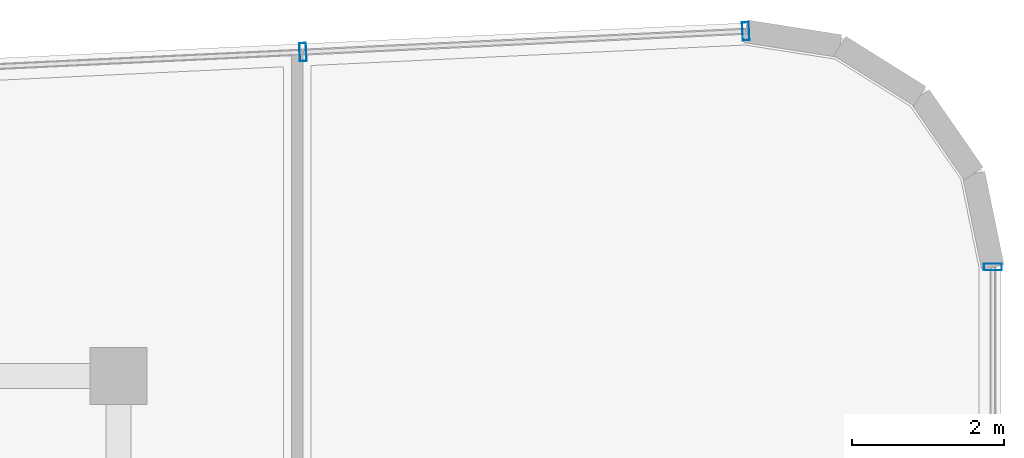
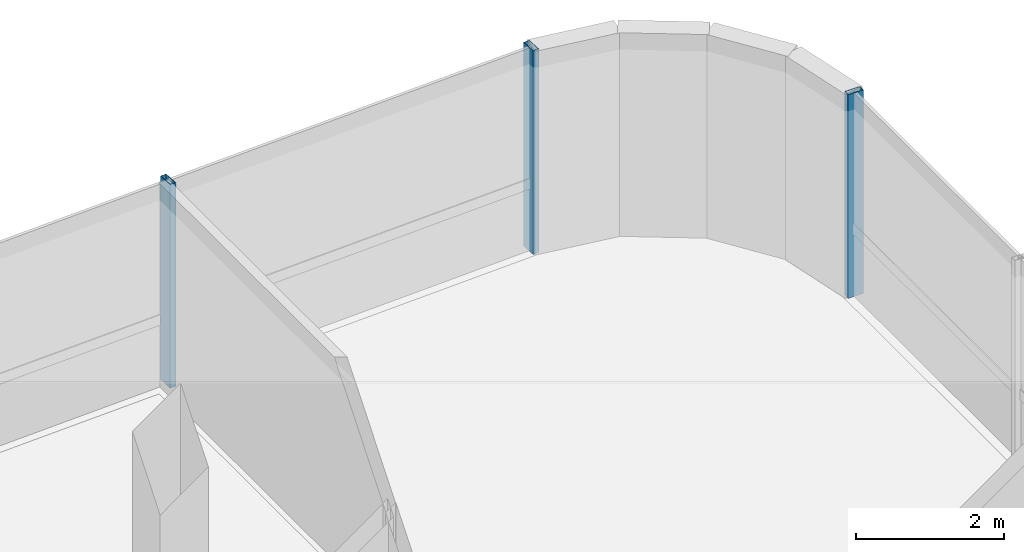
# One storey, part 11 of 17: 3 members, 2 elements without a shape of their own.
"""IFC4 building model written with IfcOpenShell, lengths in metres."""

from ifc_helpers import new_model, si_unit, direction, frame, origin, origin_2d, place, context, subcontext, project, spatial, hollow_rectangle, extrude, source, transform, mapped, material, material_profile, profile_set, type_object, element, aggregate, save


model = new_model("IFC4")

# Units and contexts
model_context = context("Model", 3, precision=1e-05, world=origin(), true_north=direction((0.0, 1.0)))
body_context = subcontext(model_context, "Body", "Model", "MODEL_VIEW")
ifc_project = project(units=[si_unit("LENGTHUNIT", "METRE"), si_unit("AREAUNIT", "SQUARE_METRE"), si_unit("VOLUMEUNIT", "CUBIC_METRE"), si_unit("PLANEANGLEUNIT", "RADIAN"), si_unit("MASSUNIT", "GRAM", prefix="KILO")], contexts=[model_context])

# Site, building, storey
site_placement = place(None, origin())
site = spatial("IfcSite", under=ifc_project, at=site_placement, CompositionType="ELEMENT")
building_placement = place(site_placement, origin())
building = spatial("IfcBuilding", under=site, at=building_placement, Name="Valdorenza Pilgrim Sanctuary Tower", CompositionType="ELEMENT")
storey_placement = place(building_placement, frame((0.0, 0.0, 287.0)))
storey = spatial("IfcBuildingStorey", under=building, at=storey_placement, Name="L75", CompositionType="ELEMENT", Elevation=287.0)

# Curtain wall, members
ifc_material_1 = material(Name="Curtain-wall IGU glazing", Category="glass")
curtain_wall_type = type_object("IfcCurtainWallType", Name="CW-SYS-04", PredefinedType="NOTDEFINED", material=ifc_material_1)
curtain_wall_1_placement = place(storey_placement, origin())
curtain_wall_1 = element("IfcCurtainWall", 1, at=curtain_wall_1_placement, inside=storey, type_object=curtain_wall_type, Name="L75 Curtain Wall CW-L75-1-6", PredefinedType="NOTDEFINED")
ifc_material_2 = material(Name="Anodised aluminium AW-6060", Category="aluminium")
ifc_material_profile = material_profile(ifc_material_2, hollow_rectangle(XDim=0.090087890625, YDim=0.239990234375, WallThickness=0.0048828125, at=origin_2d()), Name="ALU-M 240x90x5")
ifc_profile_set = profile_set([ifc_material_profile], Name="Anodised aluminium AW-6060")
member_type = type_object("IfcMemberType", Name="CW-MUL-04", PredefinedType="MULLION", material=ifc_profile_set)
shared_shape = source(origin(), body_context, "Body", "SweptSolid", [
    extrude(hollow_rectangle(XDim=0.090087890625, YDim=0.239990234375, WallThickness=0.0048828125, at=origin_2d()), origin(), (0.0, 0.0, 1.0), 3.360107421875),
])
member_1_placement = place(storey_placement, frame((-9.976318359375, 19.057373046875, 0.0), z_axis=(0.0, 0.0, 1.0), x_axis=(0.998890696972, 0.047089016785, 0.0)))
member_1 = element("IfcMember", 2, at=member_1_placement, type_object=member_type, Name="CW-L75-1-6 Mullion 4", PredefinedType="MULLION", context=body_context, shape_type="MappedRepresentation", body=[
    mapped(shared_shape, transform((0.0, 0.0, 0.0), x_axis=(1.0, 0.0, 0.0), y_axis=(0.0, 1.0, 0.0), z_axis=(0.0, 0.0, 1.0), scale=1.0)),
])
member_2_placement = place(storey_placement, frame((-4.15673828125, 19.331787109375, 0.0), z_axis=(0.0, 0.0, 1.0), x_axis=(0.998890696972, 0.047089016785, 0.0)))
member_2 = element("IfcMember", 3, at=member_2_placement, type_object=member_type, Name="CW-L75-1-6 Mullion 5", PredefinedType="MULLION", context=body_context, shape_type="MappedRepresentation", body=[
    mapped(shared_shape, transform((0.0, 0.0, 0.0), x_axis=(1.0, 0.0, 0.0), y_axis=(0.0, 1.0, 0.0), z_axis=(0.0, 0.0, 1.0), scale=1.0)),
])
aggregate(curtain_wall_1, [member_1, member_2])

# Curtain wall, member
curtain_wall_2_placement = place(storey_placement, origin())
curtain_wall_2 = element("IfcCurtainWall", 4, at=curtain_wall_2_placement, inside=storey, type_object=curtain_wall_type, Name="L75 Curtain Wall CW-L75-1-11", PredefinedType="NOTDEFINED")
member_3_placement = place(storey_placement, frame((-0.909912109375, 16.234375, 0.0), z_axis=(0.0, 0.0, 1.0), x_axis=(0.0, -1.0, 0.0)))
member_3 = element("IfcMember", 5, at=member_3_placement, type_object=member_type, Name="CW-L75-1-11 Mullion 1", PredefinedType="MULLION", context=body_context, shape_type="MappedRepresentation", body=[
    mapped(shared_shape, transform((0.0, 0.0, 0.0), x_axis=(1.0, 0.0, 0.0), y_axis=(0.0, 1.0, 0.0), z_axis=(0.0, 0.0, 1.0), scale=1.0)),
])
aggregate(curtain_wall_2, [member_3])

save(model, "model.ifc")
